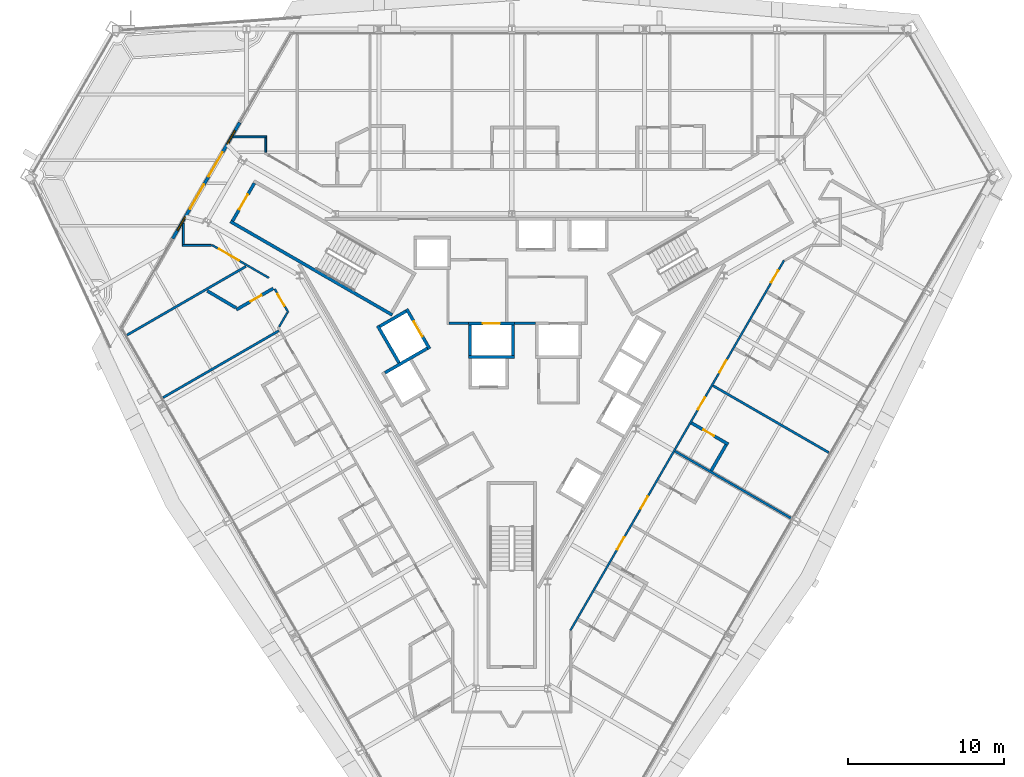
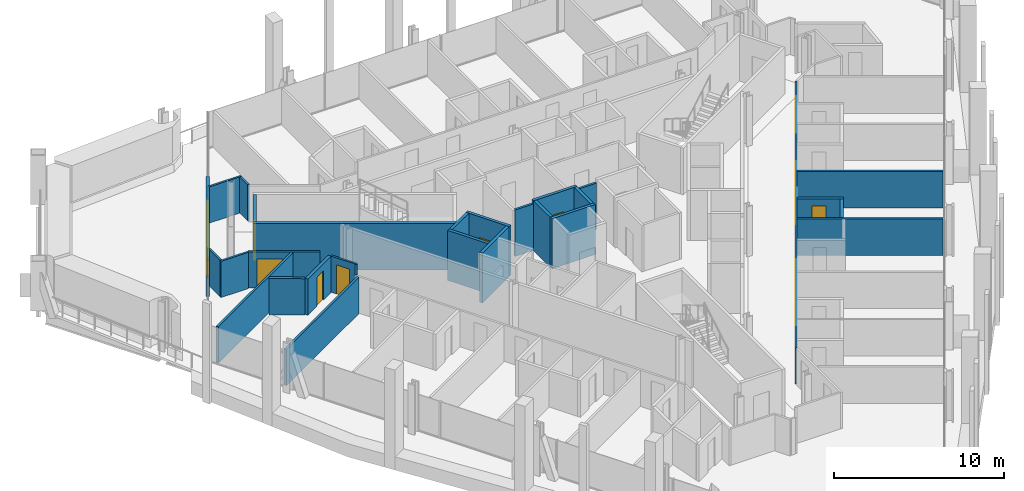
# One storey, part 13 of 19: 29 walls, 14 doors, 2 windows, 16 openings.
"""IFC4 building model written with IfcOpenShell, lengths in metres."""

import ifcopenshell
import ifcopenshell.guid

model = None  # the IFC model being written
_history = None  # IfcOwnerHistory: only IFC2X3 demands one
_inside = {}  # id of a spatial element -> (the spatial element, [elements in it])
_under = {}  # id of a project, library or spatial element -> (it, [spatial elements below it])
_declared = {}  # id of a project -> (the project, [libraries it declares])
_typed = {}  # id of a type object -> (the type object, [elements of that type])
_made_of = {}  # id of a material, layer set ... -> (it, [elements and type objects made of it])


def new_model(schema):
    """Start an empty IFC model of exactly this schema.

    Asked for "IFC4X3", IfcOpenShell would pick the latest addendum, in which some entities
    have other attributes; the version numbers below select the first issue.
    IFC2X3 requires an IfcOwnerHistory on every rooted entity: one is made here for all.
    """
    global model, _history
    if schema == "IFC4X3":
        model = ifcopenshell.file(schema_version=(4, 3, 0, 0))
    else:
        model = ifcopenshell.file(schema=schema)
    _inside.clear()
    _under.clear()
    _declared.clear()
    _typed.clear()
    _made_of.clear()
    _history = None
    if model.schema == "IFC2X3":
        org = make("IfcOrganization", Name="unknown")
        user = make(
            "IfcPersonAndOrganization",
            ThePerson=make("IfcPerson", FamilyName="unknown"),
            TheOrganization=org,
        )
        app = make(
            "IfcApplication",
            ApplicationDeveloper=org,
            Version="unknown",
            ApplicationFullName="unknown",
            ApplicationIdentifier="unknown",
        )
        _history = make(
            "IfcOwnerHistory",
            OwningUser=user,
            OwningApplication=app,
            ChangeAction="ADDED",
            CreationDate=0,
        )
    return model


def make(cls, **values):
    """One entity of the class cls with the attributes given. An attribute that is None is left unset."""
    return model.create_entity(
        cls, **{name: value for name, value in values.items() if value is not None}
    )


def rooted(cls, **values):
    """An entity with a GlobalId (a new one), such as an element, a storey or a relation."""
    return make(cls, GlobalId=ifcopenshell.guid.new(), OwnerHistory=_history, **values)


def si_unit(unit_type, name, prefix=None):
    """IfcSIUnit, for example si_unit("LENGTHUNIT", "METRE", prefix="MILLI")."""
    return make("IfcSIUnit", UnitType=unit_type, Prefix=prefix, Name=name)


def assignment(units):
    """IfcUnitAssignment: the units of a project."""
    return None if units is None else make("IfcUnitAssignment", Units=units)


def point(xyz):
    """IfcCartesianPoint."""
    return None if xyz is None else make("IfcCartesianPoint", Coordinates=xyz)


def direction(xyz):
    """IfcDirection."""
    return None if xyz is None else make("IfcDirection", DirectionRatios=xyz)


def frame(location, z_axis=None, x_axis=None):
    """IfcAxis2Placement3D, a coordinate frame: its origin and axes. An axis left out is left unset."""
    return make(
        "IfcAxis2Placement3D",
        Location=point(location),
        Axis=direction(z_axis),
        RefDirection=direction(x_axis),
    )


def frame_2d(location, x_axis=None):
    """IfcAxis2Placement2D, a coordinate frame in the plane: its origin and x axis."""
    return make(
        "IfcAxis2Placement2D", Location=point(location), RefDirection=direction(x_axis)
    )


def origin():
    """The frame at (0, 0, 0) with its axes left unset."""
    return frame((0.0, 0.0, 0.0))


def place(relative_to, where):
    """IfcLocalPlacement: puts the frame where relative to a parent placement (None: the world)."""
    return make(
        "IfcLocalPlacement", PlacementRelTo=relative_to, RelativePlacement=where
    )


def context(
    kind, dimensions, precision=None, world=None, true_north=None, identifier=None
):
    """IfcGeometricRepresentationContext, for example the 3D "Model" context."""
    return make(
        "IfcGeometricRepresentationContext",
        ContextIdentifier=identifier,
        ContextType=kind,
        CoordinateSpaceDimension=dimensions,
        Precision=precision,
        WorldCoordinateSystem=world,
        TrueNorth=true_north,
    )


def subcontext(parent, identifier, kind, view, scale=None):
    """IfcGeometricRepresentationSubContext, for example "Body" below "Model"."""
    return make(
        "IfcGeometricRepresentationSubContext",
        ContextIdentifier=identifier,
        ContextType=kind,
        ParentContext=parent,
        TargetScale=scale,
        TargetView=view,
    )


def project(units=None, contexts=None):
    """IfcProject with its units and contexts."""
    return rooted(
        "IfcProject",
        Name="project",
        RepresentationContexts=contexts,
        UnitsInContext=assignment(units),
    )


def spatial(cls, under=None, at=None, **own):
    """A site, building, storey or space (cls), placed at a placement, below another one or the project."""
    s = rooted(cls, ObjectPlacement=at, **own)
    if under is not None:
        _under.setdefault(under.id(), (under, []))[1].append(s)
    return s


def profile(cls, at=None, kind="AREA", **sizes):
    """A parametric profile (cls). Its sizes go by their IFC names, for example OverallWidth=200.0."""
    return make(cls, ProfileType=kind, Position=at, **sizes)


def rectangle(**sizes):
    """IfcRectangleProfileDef."""
    return profile("IfcRectangleProfileDef", **sizes)


def extrude(swept, where, along, depth):
    """IfcExtrudedAreaSolid: the profile swept, set in the frame where, extruded along a direction by depth."""
    return make(
        "IfcExtrudedAreaSolid",
        SweptArea=swept,
        Position=where,
        ExtrudedDirection=direction(along),
        Depth=depth,
    )


def shape(context_of_items, identifier, shape_type, items):
    """IfcShapeRepresentation: the items that make up one representation, for example the "Body"."""
    return make(
        "IfcShapeRepresentation",
        ContextOfItems=context_of_items,
        RepresentationIdentifier=identifier,
        RepresentationType=shape_type,
        Items=items,
    )


def material(Name=None, Category=None):
    """IfcMaterial."""
    return make("IfcMaterial", Name=Name, Category=Category)


def layer(
    of_material, thickness, ventilated=None, Name=None, Category=None, Priority=None
):
    """IfcMaterialLayer: one layer of a wall or slab, of a material (None: an air gap)."""
    return make(
        "IfcMaterialLayer",
        Material=of_material,
        LayerThickness=thickness,
        IsVentilated=ventilated,
        Name=Name,
        Category=Category,
        Priority=Priority,
    )


def layer_set(layers, Name=None):
    """IfcMaterialLayerSet."""
    return make("IfcMaterialLayerSet", MaterialLayers=layers, LayerSetName=Name)


def made_of(thing, what):
    """Note that an element or type object is made of a material, layer set ...; save() writes the relation."""
    if what is not None:
        _made_of.setdefault(what.id(), (what, []))[1].append(thing)
    return thing


def type_object(cls, material=None, **own):
    """A type object (cls), such as IfcWallType, which elements share."""
    return made_of(rooted(cls, **own), material)


def element(
    cls,
    number,
    at=None,
    inside=None,
    cuts=None,
    type_object=None,
    material=None,
    context=None,
    identifier="Body",
    shape_type=None,
    held_by="IfcProductDefinitionShape",
    body=None,
    shapes=None,
    **own,
):
    """One element of the class cls, such as IfcWall. Its Tag is "e" and its number.

    at: its placement. inside: the storey or other place that contains it. cuts: it is an
    opening in that element (IfcRelVoidsElement). A single representation is given by context,
    identifier, shape_type and body (its items); several are given by shapes. held_by: the class
    of the entity that holds the representations. save() writes the other relations.
    """
    e = rooted(cls, Tag="e%d" % number, ObjectPlacement=at, **own)
    if body is not None:
        shapes = [shape(context, identifier, shape_type, body)]
    if shapes is not None:
        e.Representation = make(held_by, Representations=shapes)
    if inside is not None:
        _inside.setdefault(inside.id(), (inside, []))[1].append(e)
    if cuts is not None:
        rooted(
            "IfcRelVoidsElement", RelatingBuildingElement=cuts, RelatedOpeningElement=e
        )
    if type_object is not None:
        _typed.setdefault(type_object.id(), (type_object, []))[1].append(e)
    return made_of(e, material)


def fill(opening, filler):
    """IfcRelFillsElement: the door or window that sits in an opening."""
    return rooted(
        "IfcRelFillsElement",
        RelatingOpeningElement=opening,
        RelatedBuildingElement=filler,
    )


def aggregate(whole, parts):
    """IfcRelAggregates: a whole, such as a stair, and the parts it consists of."""
    return rooted("IfcRelAggregates", RelatingObject=whole, RelatedObjects=parts)


def save(model, path):
    """Write the relations noted so far, then the file.

    IfcRelAggregates (storeys below a building ...), IfcRelContainedInSpatialStructure (elements
    in a storey), IfcRelDefinesByType, IfcRelAssociatesMaterial and IfcRelDeclares: one each for
    every whole, place, type object, material and project.
    """
    for whole, parts in _under.values():
        aggregate(whole, parts)
    for where, things in _inside.values():
        rooted(
            "IfcRelContainedInSpatialStructure",
            RelatedElements=things,
            RelatingStructure=where,
        )
    for kind, things in _typed.values():
        rooted("IfcRelDefinesByType", RelatedObjects=things, RelatingType=kind)
    for what, things in _made_of.values():
        rooted("IfcRelAssociatesMaterial", RelatedObjects=things, RelatingMaterial=what)
    for by, libraries in _declared.values():
        rooted("IfcRelDeclares", RelatingContext=by, RelatedDefinitions=libraries)
    model.write(path)


model = new_model("IFC4")

# Units and contexts
model_context = context("Model", 3, precision=1e-05, world=origin(), true_north=direction((0.0, 1.0)))
body_context = subcontext(model_context, "Body", "Model", "MODEL_VIEW")
ifc_project = project(units=[si_unit("LENGTHUNIT", "METRE"), si_unit("AREAUNIT", "SQUARE_METRE"), si_unit("VOLUMEUNIT", "CUBIC_METRE"), si_unit("PLANEANGLEUNIT", "RADIAN"), si_unit("MASSUNIT", "GRAM", prefix="KILO")], contexts=[model_context])

# Site, building, storey
site_placement = place(None, origin())
site = spatial("IfcSite", under=ifc_project, at=site_placement, CompositionType="ELEMENT")
building_placement = place(site_placement, origin())
building = spatial("IfcBuilding", under=site, at=building_placement, Name="Verrane Prism Tower", CompositionType="ELEMENT")
storey_placement = place(building_placement, frame((0.0, 0.0, 58.39990234375)))
storey = spatial("IfcBuildingStorey", under=building, at=storey_placement, Name="L12", CompositionType="ELEMENT", Elevation=58.39990234375)

# Wall, opening, door
ifc_material_1 = material(Name="Concrete C40/50", Category="concrete")
ifc_layer_1 = layer(ifc_material_1, 0.199951171875)
ifc_layer_set_1 = layer_set([ifc_layer_1], Name="CW-200 stair core wall concrete C40/50 3 h")
wall_type_1 = type_object("IfcWallType", Name="CW-200 stair core wall concrete C40/50 3 h", PredefinedType="PARTITIONING", material=ifc_layer_set_1)
wall_1_placement = place(storey_placement, frame((-16.533935546875, 11.162353515625, 0.0), z_axis=(0.0, 0.0, 1.0), x_axis=(-0.49998411664, -0.866034573852, 0.0)))
wall_1 = element("IfcWall", 1, at=wall_1_placement, inside=storey, type_object=wall_type_1, Name="Stair 2 enclosure wall", PredefinedType="PARTITIONING", context=body_context, shape_type="SweptSolid", body=[
    extrude(rectangle(XDim=2.7998046875, YDim=0.199951171875, at=frame_2d((1.39990234375, 0.0))), origin(), (0.0, 0.0, 1.0), 3.35009765625),
])
opening_1_placement = place(wall_1_placement, frame((0.849853515625, 0.0, 0.0)))
opening_1 = element("IfcOpeningElement", 2, at=opening_1_placement, cuts=wall_1, Name="Opening D12501", PredefinedType="OPENING", context=body_context, shape_type="SweptSolid", body=[
    extrude(rectangle(XDim=1.10009765625, YDim=2.10009765625, at=frame_2d((0.550048828125, 1.050048828125))), frame((0.0, 0.10986328125, 0.0), z_axis=(0.0, -1.0, 0.0), x_axis=(1.0, 0.0, 0.0)), (0.0, 0.0, 1.0), 0.219970703125),
])
ifc_material_2 = material(Name="Timber veneered door leaf", Category="wood")
door_type_1 = type_object("IfcDoorType", Name="DR-1100x2100 FD90 single leaf stair", OperationType="NOTDEFINED", PredefinedType="DOOR", material=ifc_material_2)
door_1_placement = place(opening_1_placement, origin())
door_1 = element("IfcDoor", 3, at=door_1_placement, inside=storey, type_object=door_type_1, Name="Stair 2 door", OperationType="SINGLE_SWING_RIGHT", OverallHeight=2.10009765625, OverallWidth=1.10009765625, PredefinedType="DOOR", context=body_context, shape_type="SweptSolid", body=[
    extrude(rectangle(XDim=1.10009765625, YDim=2.10009765625, at=frame_2d((0.550048828125, 1.050048828125))), frame((0.0, 0.02490234375, 0.0), z_axis=(0.0, -1.0, 0.0), x_axis=(1.0, 0.0, 0.0)), (0.0, 0.0, 1.0), 0.050048828125),
])
fill(opening_1, door_1)

# Wall
wall_2_placement = place(storey_placement, frame((-7.67822265625, 2.700927734375, 0.0), z_axis=(0.0, 0.0, 1.0), x_axis=(-0.866026010844, 0.49999894854, 0.0)))
element("IfcWall", 4, at=wall_2_placement, inside=storey, type_object=wall_type_1, Name="Stair 2 enclosure wall", PredefinedType="PARTITIONING", context=body_context, shape_type="SweptSolid", body=[
    extrude(rectangle(XDim=12.0, YDim=0.199951171875, at=frame_2d((6.0, 0.0))), origin(), (0.0, 0.0, 1.0), 3.35009765625),
])

# Wall, openings, doors, windows
ifc_material_3 = material(Name="Aluminium framed insulated glazing", Category="aluminium")
ifc_layer_2 = layer(ifc_material_3, 0.199951171875)
ifc_layer_set_2 = layer_set([ifc_layer_2], Name="Garden screen wall 200")
wall_type_2 = type_object("IfcWallType", Name="Garden screen wall 200", PredefinedType="SOLIDWALL", material=ifc_layer_set_2)
wall_3_placement = place(storey_placement, frame((-17.474609375, 15.05419921875, 0.0), z_axis=(0.0, 0.0, 1.0), x_axis=(-0.499973925258, -0.86604045752, 0.0)))
wall_3 = element("IfcWall", 5, at=wall_3_placement, inside=storey, type_object=wall_type_2, Name="Garden screen wall L12", PredefinedType="SOLIDWALL", context=body_context, shape_type="SweptSolid", body=[
    extrude(rectangle(XDim=8.60009765625, YDim=0.199951171875, at=frame_2d((4.300048828125, 0.0))), origin(), (0.0, 0.0, 1.0), 2.613037109375),
])
opening_2_placement = place(wall_3_placement, frame((0.60009765625, 0.0, 0.89990234375)))
opening_2 = element("IfcOpeningElement", 6, at=opening_2_placement, cuts=wall_3, Name="Opening W12701", PredefinedType="OPENING", context=body_context, shape_type="SweptSolid", body=[
    extrude(rectangle(XDim=1.0, YDim=1.5, at=frame_2d((0.5, 0.75))), frame((0.0, 0.10986328125, 0.0), z_axis=(0.0, -1.0, 0.0), x_axis=(1.0, 0.0, 0.0)), (0.0, 0.0, 1.0), 0.219970703125),
])
opening_3_placement = place(wall_3_placement, frame((2.199951171875, 0.0, 0.0)))
opening_3 = element("IfcOpeningElement", 7, at=opening_3_placement, cuts=wall_3, Name="Opening D12701", PredefinedType="OPENING", context=body_context, shape_type="SweptSolid", body=[
    extrude(rectangle(XDim=1.800048828125, YDim=2.39990234375, at=frame_2d((0.89990234375, 1.199951171875))), frame((0.0, 0.10986328125, 0.0), z_axis=(0.0, -1.0, 0.0), x_axis=(1.0, 0.0, 0.0)), (0.0, 0.0, 1.0), 0.219970703125),
])
opening_4_placement = place(wall_3_placement, frame((4.60009765625, 0.0, 0.0)))
opening_4 = element("IfcOpeningElement", 8, at=opening_4_placement, cuts=wall_3, Name="Opening D12702", PredefinedType="OPENING", context=body_context, shape_type="SweptSolid", body=[
    extrude(rectangle(XDim=1.800048828125, YDim=2.39990234375, at=frame_2d((0.89990234375, 1.199951171875))), frame((0.0, 0.10986328125, 0.0), z_axis=(0.0, -1.0, 0.0), x_axis=(1.0, 0.0, 0.0)), (0.0, 0.0, 1.0), 0.219970703125),
])
opening_5_placement = place(wall_3_placement, frame((7.0, 0.0, 0.89990234375)))
opening_5 = element("IfcOpeningElement", 9, at=opening_5_placement, cuts=wall_3, Name="Opening W12702", PredefinedType="OPENING", context=body_context, shape_type="SweptSolid", body=[
    extrude(rectangle(XDim=1.0, YDim=1.5, at=frame_2d((0.5, 0.75))), frame((0.0, 0.10986328125, 0.0), z_axis=(0.0, -1.0, 0.0), x_axis=(1.0, 0.0, 0.0)), (0.0, 0.0, 1.0), 0.219970703125),
])
ifc_material_4 = material(Name="Aluminium framed glazing", Category="aluminium")
door_type_2 = type_object("IfcDoorType", Name="DR-1800x2400 double glazed garden door", OperationType="DOUBLE_DOOR_SINGLE_SWING", PredefinedType="DOOR", material=ifc_material_4)
door_2_placement = place(opening_3_placement, frame((1.800048828125, 0.0, 0.0), z_axis=(0.0, 0.0, 1.0), x_axis=(-1.0, 0.0, 0.0)))
door_2 = element("IfcDoor", 10, at=door_2_placement, inside=storey, type_object=door_type_2, Name="Garden door D12701", OperationType="DOUBLE_DOOR_SINGLE_SWING", OverallHeight=2.39990234375, OverallWidth=1.800048828125, PredefinedType="DOOR", context=body_context, shape_type="SweptSolid", body=[
    extrude(rectangle(XDim=1.800048828125, YDim=2.39990234375, at=frame_2d((0.89990234375, 1.199951171875))), frame((0.0, 0.02490234375, 0.0), z_axis=(0.0, -1.0, 0.0), x_axis=(1.0, 0.0, 0.0)), (0.0, 0.0, 1.0), 0.050048828125),
])
fill(opening_3, door_2)
door_3_placement = place(opening_4_placement, frame((1.800048828125, 0.0, 0.0), z_axis=(0.0, 0.0, 1.0), x_axis=(-1.0, 0.0, 0.0)))
door_3 = element("IfcDoor", 11, at=door_3_placement, inside=storey, type_object=door_type_2, Name="Garden door D12702", OperationType="DOUBLE_DOOR_SINGLE_SWING", OverallHeight=2.39990234375, OverallWidth=1.800048828125, PredefinedType="DOOR", context=body_context, shape_type="SweptSolid", body=[
    extrude(rectangle(XDim=1.800048828125, YDim=2.39990234375, at=frame_2d((0.89990234375, 1.199951171875))), frame((0.0, 0.02490234375, 0.0), z_axis=(0.0, -1.0, 0.0), x_axis=(1.0, 0.0, 0.0)), (0.0, 0.0, 1.0), 0.050048828125),
])
fill(opening_4, door_3)
ifc_material_5 = material(Name="Aluminium framed glazing", Category="aluminium")
window_type = type_object("IfcWindowType", Name="Vent window 1000x1500 top hung", PartitioningType="SINGLE_PANEL", PredefinedType="WINDOW", material=ifc_material_5)
window_1_placement = place(opening_2_placement, origin())
window_1 = element("IfcWindow", 12, at=window_1_placement, inside=storey, type_object=window_type, Name="Vent window W12701", OverallHeight=1.5, OverallWidth=1.0, PartitioningType="SINGLE_PANEL", PredefinedType="WINDOW", context=body_context, shape_type="SweptSolid", body=[
    extrude(rectangle(XDim=1.0, YDim=1.5, at=frame_2d((0.5, 0.75))), frame((0.0, 0.030029296875, 0.0), z_axis=(0.0, -1.0, 0.0), x_axis=(1.0, 0.0, 0.0)), (0.0, 0.0, 1.0), 0.06005859375),
])
fill(opening_2, window_1)
window_2_placement = place(opening_5_placement, origin())
window_2 = element("IfcWindow", 13, at=window_2_placement, inside=storey, type_object=window_type, Name="Vent window W12702", OverallHeight=1.5, OverallWidth=1.0, PartitioningType="SINGLE_PANEL", PredefinedType="WINDOW", context=body_context, shape_type="SweptSolid", body=[
    extrude(rectangle(XDim=1.0, YDim=1.5, at=frame_2d((0.5, 0.75))), frame((0.0, 0.030029296875, 0.0), z_axis=(0.0, -1.0, 0.0), x_axis=(1.0, 0.0, 0.0)), (0.0, 0.0, 1.0), 0.06005859375),
])
fill(opening_5, window_2)

# Wall
ifc_material_6 = material(Name="Gypsum board shaft wall assembly", Category="other")
ifc_layer_3 = layer(ifc_material_6, 0.199951171875)
ifc_layer_set_3 = layer_set([ifc_layer_3], Name="HW-200 lift shaft wall 2 h")
wall_type_3 = type_object("IfcWallType", Name="HW-200 lift shaft wall 2 h", PredefinedType="PARTITIONING", material=ifc_layer_set_3)
wall_4_placement = place(storey_placement, frame((-2.784912109375, 0.0, 0.0), z_axis=(0.0, 0.0, 1.0), x_axis=(1.0, 0.0, 0.0)))
element("IfcWall", 14, at=wall_4_placement, inside=storey, type_object=wall_type_3, Name="Lift shaft wall", PredefinedType="PARTITIONING", context=body_context, shape_type="SweptSolid", body=[
    extrude(rectangle(XDim=2.949951171875, YDim=0.199951171875, at=frame_2d((1.47509765625, 0.0))), origin(), (0.0, 0.0, 1.0), 3.60009765625),
])

# Wall, opening, door
wall_5_placement = place(storey_placement, frame((-2.784912109375, 2.14990234375, 0.0), z_axis=(0.0, 0.0, 1.0), x_axis=(1.0, 0.0, 0.0)))
wall_5 = element("IfcWall", 15, at=wall_5_placement, inside=storey, type_object=wall_type_3, Name="Lift shaft wall", PredefinedType="PARTITIONING", context=body_context, shape_type="SweptSolid", body=[
    extrude(rectangle(XDim=2.949951171875, YDim=0.199951171875, at=frame_2d((1.47509765625, 0.0))), origin(), (0.0, 0.0, 1.0), 3.60009765625),
])
opening_6_placement = place(wall_5_placement, frame((0.925048828125, 0.0, 0.0)))
opening_6 = element("IfcOpeningElement", 16, at=opening_6_placement, cuts=wall_5, Name="Opening D12508", PredefinedType="OPENING", context=body_context, shape_type="SweptSolid", body=[
    extrude(rectangle(XDim=1.10009765625, YDim=2.10009765625, at=frame_2d((0.550048828125, 1.050048828125))), frame((0.0, 0.10986328125, 0.0), z_axis=(0.0, -1.0, 0.0), x_axis=(1.0, 0.0, 0.0)), (0.0, 0.0, 1.0), 0.219970703125),
])
ifc_material_7 = material(Name="Stainless steel sliding landing door", Category="steel")
door_type_3 = type_object("IfcDoorType", Name="LD-1100x2100 lift landing door FD90 sliding", OperationType="NOTDEFINED", PredefinedType="DOOR", material=ifc_material_7)
door_4_placement = place(opening_6_placement, origin())
door_4 = element("IfcDoor", 17, at=door_4_placement, inside=storey, type_object=door_type_3, Name="Fire service lift 1 landing door", OperationType="SLIDING_TO_LEFT", OverallHeight=2.10009765625, OverallWidth=1.10009765625, PredefinedType="DOOR", context=body_context, shape_type="SweptSolid", body=[
    extrude(rectangle(XDim=1.10009765625, YDim=2.10009765625, at=frame_2d((0.550048828125, 1.050048828125))), frame((0.0, 0.02490234375, 0.0), z_axis=(0.0, -1.0, 0.0), x_axis=(1.0, 0.0, 0.0)), (0.0, 0.0, 1.0), 0.050048828125),
])
fill(opening_6, door_4)

# Walls
wall_6_placement = place(storey_placement, frame((-8.14453125, -1.012939453125, 0.0), z_axis=(0.0, 0.0, 1.0), x_axis=(0.866016494683, 0.500015430699, 0.0)))
element("IfcWall", 18, at=wall_6_placement, inside=storey, type_object=wall_type_3, Name="Lift shaft wall", PredefinedType="PARTITIONING", context=body_context, shape_type="SweptSolid", body=[
    extrude(rectangle(XDim=3.14990234375, YDim=0.199951171875, at=frame_2d((1.574951171875, 0.0))), origin(), (0.0, 0.0, 1.0), 3.60009765625),
])
for number, where, z_axis, x_axis, name in (
    (19, (-8.48046875, 1.968505859375, 0.0), (0.0, 0.0, 1.0), (0.866000020948, 0.500043961785, 0.0), "Lift shaft wall"),
    (20, (0.06494140625, 0.10009765625, 0.0), (0.0, 0.0, 1.0), (0.0, 1.0, 0.0), "Lift shaft wall"),
    (21, (-2.68505859375, 0.10009765625, 0.0), (0.0, 0.0, 1.0), (0.0, 1.0, 0.0), "Lift shaft wall"),
):
    element("IfcWall", number, at=place(storey_placement, frame(where, z_axis=z_axis, x_axis=x_axis)), inside=storey, type_object=wall_type_3, Name=name, PredefinedType="PARTITIONING", context=body_context, shape_type="SweptSolid", body=[
        extrude(rectangle(XDim=1.949951171875, YDim=0.199951171875, at=frame_2d((0.97509765625, 0.0))), origin(), (0.0, 0.0, 1.0), 3.60009765625),
    ])

# Wall, opening, door
wall_7_placement = place(storey_placement, frame((-5.280029296875, 0.525390625, 0.0), z_axis=(0.0, 0.0, 1.0), x_axis=(-0.500037662692, 0.866003658127, 0.0)))
wall_7 = element("IfcWall", 22, at=wall_7_placement, inside=storey, type_object=wall_type_3, Name="Lift shaft wall", PredefinedType="PARTITIONING", context=body_context, shape_type="SweptSolid", body=[
    extrude(rectangle(XDim=2.949951171875, YDim=0.199951171875, at=frame_2d((1.47509765625, 0.0))), origin(), (0.0, 0.0, 1.0), 3.60009765625),
])
opening_7_placement = place(wall_7_placement, frame((0.925048828125, 0.0, 0.0)))
opening_7 = element("IfcOpeningElement", 23, at=opening_7_placement, cuts=wall_7, Name="Opening D12510", PredefinedType="OPENING", context=body_context, shape_type="SweptSolid", body=[
    extrude(rectangle(XDim=1.10009765625, YDim=2.10009765625, at=frame_2d((0.550048828125, 1.050048828125))), frame((0.0, 0.10986328125, 0.0), z_axis=(0.0, -1.0, 0.0), x_axis=(1.0, 0.0, 0.0)), (0.0, 0.0, 1.0), 0.219970703125),
])
door_5_placement = place(opening_7_placement, origin())
door_5 = element("IfcDoor", 24, at=door_5_placement, inside=storey, type_object=door_type_3, Name="Service lift 1 landing door", OperationType="SLIDING_TO_LEFT", OverallHeight=2.10009765625, OverallWidth=1.10009765625, PredefinedType="DOOR", context=body_context, shape_type="SweptSolid", body=[
    extrude(rectangle(XDim=1.10009765625, YDim=2.10009765625, at=frame_2d((0.550048828125, 1.050048828125))), frame((0.0, 0.02490234375, 0.0), z_axis=(0.0, -1.0, 0.0), x_axis=(1.0, 0.0, 0.0)), (0.0, 0.0, 1.0), 0.050048828125),
])
fill(opening_7, door_5)

# Walls
wall_8_placement = place(storey_placement, frame((-7.241943359375, -0.37646484375, 0.0), z_axis=(0.0, 0.0, 1.0), x_axis=(-0.499996545922, 0.866027397988, 0.0)))
element("IfcWall", 25, at=wall_8_placement, inside=storey, type_object=wall_type_3, Name="Lift shaft wall", PredefinedType="PARTITIONING", context=body_context, shape_type="SweptSolid", body=[
    extrude(rectangle(XDim=2.75, YDim=0.199951171875, at=frame_2d((1.375, 0.0))), origin(), (0.0, 0.0, 1.0), 3.60009765625),
])
ifc_material_8 = material(Name="Gypsum board partition", Category="other")
ifc_layer_4 = layer(ifc_material_8, 0.14990234375)
ifc_layer_set_4 = layer_set([ifc_layer_4], Name="LF-150 firefighting lobby wall 1 h")
wall_type_4 = type_object("IfcWallType", Name="LF-150 firefighting lobby wall 1 h", PredefinedType="PARTITIONING", material=ifc_layer_set_4)
wall_9_placement = place(storey_placement, frame((-4.02490234375, 2.159912109375, 0.0), z_axis=(0.0, 0.0, 1.0), x_axis=(1.0, 0.0, 0.0)))
element("IfcWall", 26, at=wall_9_placement, inside=storey, type_object=wall_type_4, Name="Firefighting lobby wall LF1-002", PredefinedType="PARTITIONING", context=body_context, shape_type="SweptSolid", body=[
    extrude(rectangle(XDim=1.23779296875, YDim=0.14990234375, at=frame_2d((0.618896484375, 0.0))), origin(), (0.0, 0.0, 1.0), 3.35009765625),
])
wall_10_placement = place(storey_placement, frame((0.1669921875, 2.159912109375, 0.0), z_axis=(0.0, 0.0, 1.0), x_axis=(1.0, 0.0, 0.0)))
element("IfcWall", 27, at=wall_10_placement, inside=storey, type_object=wall_type_4, Name="Firefighting lobby wall LF1-006", PredefinedType="PARTITIONING", context=body_context, shape_type="SweptSolid", body=[
    extrude(rectangle(XDim=1.35595703125, YDim=0.14990234375, at=frame_2d((0.677978515625, 0.0))), origin(), (0.0, 0.0, 1.0), 3.35009765625),
])
ifc_material_9 = material(Name="Gypsum board partition", Category="other")
ifc_layer_5 = layer(ifc_material_9, 0.125)
ifc_layer_set_5 = layer_set([ifc_layer_5], Name="PW-125 corridor wall 1 h")
wall_type_5 = type_object("IfcWallType", Name="PW-125 corridor wall 1 h", PredefinedType="PARTITIONING", material=ifc_layer_set_5)
wall_11_placement = place(storey_placement, frame((-21.096923828125, 7.22802734375, 0.0), z_axis=(0.0, 0.0, 1.0), x_axis=(0.0, 1.0, 0.0)))
element("IfcWall", 28, at=wall_11_placement, inside=storey, type_object=wall_type_5, Name="Corridor wall 003", PredefinedType="PARTITIONING", context=body_context, shape_type="SweptSolid", body=[
    extrude(rectangle(XDim=1.350830078125, YDim=0.125, at=frame_2d((0.67529296875, 0.0))), origin(), (0.0, 0.0, 1.0), 2.613037109375),
])
wall_12_placement = place(storey_placement, frame((-21.159423828125, 7.1630859375, 0.0), z_axis=(0.0, 0.0, 1.0), x_axis=(1.0, 0.0, 0.0)))
element("IfcWall", 29, at=wall_12_placement, inside=storey, type_object=wall_type_5, Name="Corridor wall 004", PredefinedType="PARTITIONING", context=body_context, shape_type="SweptSolid", body=[
    extrude(rectangle(XDim=1.868408203125, YDim=0.125, at=frame_2d((0.93408203125, 0.0))), origin(), (0.0, 0.0, 1.0), 2.613037109375),
])

# Wall, opening, door
wall_13_placement = place(storey_placement, frame((-15.598876953125, 5.079833984375, 0.0), z_axis=(0.0, 0.0, 1.0), x_axis=(-0.865948995961, 0.500132318886, 0.0)))
wall_13 = element("IfcWall", 30, at=wall_13_placement, inside=storey, type_object=wall_type_5, Name="Corridor wall 007", PredefinedType="PARTITIONING", context=body_context, shape_type="SweptSolid", body=[
    extrude(rectangle(XDim=4.227783203125, YDim=0.125, at=frame_2d((2.11376953125, 0.0))), origin(), (0.0, 0.0, 1.0), 2.613037109375),
])
opening_8_placement = place(wall_13_placement, frame((2.215576171875, 0.0, 0.0)))
opening_8 = element("IfcOpeningElement", 31, at=opening_8_placement, cuts=wall_13, Name="Opening D12015", PredefinedType="OPENING", context=body_context, shape_type="SweptSolid", body=[
    extrude(rectangle(XDim=1.5, YDim=2.10009765625, at=frame_2d((0.75, 1.050048828125))), frame((0.0, 0.072509765625, 0.0), z_axis=(0.0, -1.0, 0.0), x_axis=(1.0, 0.0, 0.0)), (0.0, 0.0, 1.0), 0.14501953125),
])
ifc_material_10 = material(Name="Timber veneered door leaf", Category="wood")
door_type_4 = type_object("IfcDoorType", Name="DR-1500x2100 FD20 double leaf public", OperationType="NOTDEFINED", PredefinedType="DOOR", material=ifc_material_10)
door_6_placement = place(opening_8_placement, origin())
door_6 = element("IfcDoor", 32, at=door_6_placement, inside=storey, type_object=door_type_4, Name="Sky Garden Lounge door", OperationType="DOUBLE_DOOR_SINGLE_SWING", OverallHeight=2.10009765625, OverallWidth=1.5, PredefinedType="DOOR", context=body_context, shape_type="SweptSolid", body=[
    extrude(rectangle(XDim=1.5, YDim=2.10009765625, at=frame_2d((0.75, 1.050048828125))), frame((0.0, 0.02490234375, 0.0), z_axis=(0.0, -1.0, 0.0), x_axis=(1.0, 0.0, 0.0)), (0.0, 0.0, 1.0), 0.050048828125),
])
fill(opening_8, door_6)

# Walls
wall_14_placement = place(storey_placement, frame((-17.9140625, 14.136962890625, 0.0), z_axis=(0.0, 0.0, 1.0), x_axis=(1.0, 0.0, 0.0)))
element("IfcWall", 33, at=wall_14_placement, inside=storey, type_object=wall_type_5, Name="Corridor wall 008", PredefinedType="PARTITIONING", context=body_context, shape_type="SweptSolid", body=[
    extrude(rectangle(XDim=2.173583984375, YDim=0.125, at=frame_2d((1.0869140625, 0.0))), origin(), (0.0, 0.0, 1.0), 2.613037109375),
])
wall_15_placement = place(storey_placement, frame((-15.802978515625, 13.135009765625, 0.0), z_axis=(0.0, 0.0, 1.0), x_axis=(0.0, 1.0, 0.0)))
element("IfcWall", 34, at=wall_15_placement, inside=storey, type_object=wall_type_5, Name="Corridor wall 013", PredefinedType="PARTITIONING", context=body_context, shape_type="SweptSolid", body=[
    extrude(rectangle(XDim=0.93701171875, YDim=0.125, at=frame_2d((0.468505859375, 0.0))), origin(), (0.0, 0.0, 1.0), 2.613037109375),
])

# Wall, opening, door
wall_16_placement = place(storey_placement, frame((-14.350830078125, 2.85595703125, 0.0), z_axis=(0.0, 0.0, 1.0), x_axis=(-0.500075847163, 0.865981608976, 0.0)))
wall_16 = element("IfcWall", 35, at=wall_16_placement, inside=storey, type_object=wall_type_5, Name="Corridor wall 015", PredefinedType="PARTITIONING", context=body_context, shape_type="SweptSolid", body=[
    extrude(rectangle(XDim=1.754150390625, YDim=0.125, at=frame_2d((0.876953125, 0.0))), origin(), (0.0, 0.0, 1.0), 2.613037109375),
])
opening_9_placement = place(wall_16_placement, frame((0.47705078125, 0.0, 0.0)))
opening_9 = element("IfcOpeningElement", 36, at=opening_9_placement, cuts=wall_16, Name="Opening D12016", PredefinedType="OPENING", context=body_context, shape_type="SweptSolid", body=[
    extrude(rectangle(XDim=0.89990234375, YDim=2.10009765625, at=frame_2d((0.449951171875, 1.050048828125))), frame((0.0, 0.072509765625, 0.0), z_axis=(0.0, -1.0, 0.0), x_axis=(1.0, 0.0, 0.0)), (0.0, 0.0, 1.0), 0.14501953125),
])
ifc_material_11 = material(Name="Timber veneered door leaf", Category="wood")
door_type_5 = type_object("IfcDoorType", Name="DR-900x2100 FD20 single leaf unit", OperationType="NOTDEFINED", PredefinedType="DOOR", material=ifc_material_11)
door_7_placement = place(opening_9_placement, origin())
door_7 = element("IfcDoor", 37, at=door_7_placement, inside=storey, type_object=door_type_5, Name="Guest Room door", OperationType="SINGLE_SWING_LEFT", OverallHeight=2.10009765625, OverallWidth=0.89990234375, PredefinedType="DOOR", context=body_context, shape_type="SweptSolid", body=[
    extrude(rectangle(XDim=0.89990234375, YDim=2.10009765625, at=frame_2d((0.449951171875, 1.050048828125))), frame((0.0, 0.02490234375, 0.0), z_axis=(0.0, -1.0, 0.0), x_axis=(1.0, 0.0, 0.0)), (0.0, 0.0, 1.0), 0.050048828125),
])
fill(opening_9, door_7)

# Wall
wall_17_placement = place(storey_placement, frame((-14.9404296875, 1.943603515625, 0.0), z_axis=(0.0, 0.0, 1.0), x_axis=(0.500289431813, 0.86585823575, 0.0)))
element("IfcWall", 38, at=wall_17_placement, inside=storey, type_object=wall_type_5, Name="Corridor wall 018", PredefinedType="PARTITIONING", context=body_context, shape_type="SweptSolid", body=[
    extrude(rectangle(XDim=1.03125, YDim=0.125, at=frame_2d((0.515625, 0.0))), origin(), (0.0, 0.0, 1.0), 2.613037109375),
])

# Wall, openings, doors
wall_18_placement = place(storey_placement, frame((17.486328125, 6.2060546875, 0.0), z_axis=(0.0, 0.0, 1.0), x_axis=(-0.499990458811, -0.866030912322, 0.0)))
wall_18 = element("IfcWall", 39, at=wall_18_placement, inside=storey, type_object=wall_type_5, Name="Corridor wall 054", PredefinedType="PARTITIONING", context=body_context, shape_type="SweptSolid", body=[
    extrude(rectangle(XDim=27.44140625, YDim=0.125, at=frame_2d((13.720703125, 0.0))), origin(), (0.0, 0.0, 1.0), 2.613037109375),
])
opening_10_placement = place(wall_18_placement, frame((20.529052734375, 0.0, 0.0)))
opening_10 = element("IfcOpeningElement", 40, at=opening_10_placement, cuts=wall_18, Name="Opening D12032", PredefinedType="OPENING", context=body_context, shape_type="SweptSolid", body=[
    extrude(rectangle(XDim=0.89990234375, YDim=2.10009765625, at=frame_2d((0.449951171875, 1.050048828125))), frame((0.0, 0.072509765625, 0.0), z_axis=(0.0, -1.0, 0.0), x_axis=(1.0, 0.0, 0.0)), (0.0, 0.0, 1.0), 0.14501953125),
])
opening_11_placement = place(wall_18_placement, frame((17.51611328125, 0.0, 0.0)))
opening_11 = element("IfcOpeningElement", 41, at=opening_11_placement, cuts=wall_18, Name="Opening D12034", PredefinedType="OPENING", context=body_context, shape_type="SweptSolid", body=[
    extrude(rectangle(XDim=0.89990234375, YDim=2.10009765625, at=frame_2d((0.449951171875, 1.050048828125))), frame((0.0, 0.072509765625, 0.0), z_axis=(0.0, -1.0, 0.0), x_axis=(1.0, 0.0, 0.0)), (0.0, 0.0, 1.0), 0.14501953125),
])
opening_12_placement = place(wall_18_placement, frame((10.16796875, 0.0, 0.0)))
opening_12 = element("IfcOpeningElement", 42, at=opening_12_placement, cuts=wall_18, Name="Opening D12036", PredefinedType="OPENING", context=body_context, shape_type="SweptSolid", body=[
    extrude(rectangle(XDim=0.89990234375, YDim=2.10009765625, at=frame_2d((0.449951171875, 1.050048828125))), frame((0.0, 0.072509765625, 0.0), z_axis=(0.0, -1.0, 0.0), x_axis=(1.0, 0.0, 0.0)), (0.0, 0.0, 1.0), 0.14501953125),
])
opening_13_placement = place(wall_18_placement, frame((7.403076171875, 0.0, 0.0)))
opening_13 = element("IfcOpeningElement", 43, at=opening_13_placement, cuts=wall_18, Name="Opening D12038", PredefinedType="OPENING", context=body_context, shape_type="SweptSolid", body=[
    extrude(rectangle(XDim=0.89990234375, YDim=2.10009765625, at=frame_2d((0.449951171875, 1.050048828125))), frame((0.0, 0.072509765625, 0.0), z_axis=(0.0, -1.0, 0.0), x_axis=(1.0, 0.0, 0.0)), (0.0, 0.0, 1.0), 0.14501953125),
])
opening_14_placement = place(wall_18_placement, frame((0.740966796875, 0.0, 0.0)))
opening_14 = element("IfcOpeningElement", 44, at=opening_14_placement, cuts=wall_18, Name="Opening D12040", PredefinedType="OPENING", context=body_context, shape_type="SweptSolid", body=[
    extrude(rectangle(XDim=0.89990234375, YDim=2.10009765625, at=frame_2d((0.449951171875, 1.050048828125))), frame((0.0, 0.072509765625, 0.0), z_axis=(0.0, -1.0, 0.0), x_axis=(1.0, 0.0, 0.0)), (0.0, 0.0, 1.0), 0.14501953125),
])
door_8_placement = place(opening_10_placement, origin())
door_8 = element("IfcDoor", 45, at=door_8_placement, inside=storey, type_object=door_type_5, Name="Guest Room door", OperationType="SINGLE_SWING_LEFT", OverallHeight=2.10009765625, OverallWidth=0.89990234375, PredefinedType="DOOR", context=body_context, shape_type="SweptSolid", body=[
    extrude(rectangle(XDim=0.89990234375, YDim=2.10009765625, at=frame_2d((0.449951171875, 1.050048828125))), frame((0.0, 0.02490234375, 0.0), z_axis=(0.0, -1.0, 0.0), x_axis=(1.0, 0.0, 0.0)), (0.0, 0.0, 1.0), 0.050048828125),
])
fill(opening_10, door_8)
door_9_placement = place(opening_11_placement, origin())
door_9 = element("IfcDoor", 46, at=door_9_placement, inside=storey, type_object=door_type_5, Name="Guest Room door", OperationType="SINGLE_SWING_LEFT", OverallHeight=2.10009765625, OverallWidth=0.89990234375, PredefinedType="DOOR", context=body_context, shape_type="SweptSolid", body=[
    extrude(rectangle(XDim=0.89990234375, YDim=2.10009765625, at=frame_2d((0.449951171875, 1.050048828125))), frame((0.0, 0.02490234375, 0.0), z_axis=(0.0, -1.0, 0.0), x_axis=(1.0, 0.0, 0.0)), (0.0, 0.0, 1.0), 0.050048828125),
])
fill(opening_11, door_9)
door_10_placement = place(opening_12_placement, origin())
door_10 = element("IfcDoor", 47, at=door_10_placement, inside=storey, type_object=door_type_5, Name="Guest Room door", OperationType="SINGLE_SWING_LEFT", OverallHeight=2.10009765625, OverallWidth=0.89990234375, PredefinedType="DOOR", context=body_context, shape_type="SweptSolid", body=[
    extrude(rectangle(XDim=0.89990234375, YDim=2.10009765625, at=frame_2d((0.449951171875, 1.050048828125))), frame((0.0, 0.02490234375, 0.0), z_axis=(0.0, -1.0, 0.0), x_axis=(1.0, 0.0, 0.0)), (0.0, 0.0, 1.0), 0.050048828125),
])
fill(opening_12, door_10)
door_11_placement = place(opening_13_placement, origin())
door_11 = element("IfcDoor", 48, at=door_11_placement, inside=storey, type_object=door_type_5, Name="Guest Room door", OperationType="SINGLE_SWING_LEFT", OverallHeight=2.10009765625, OverallWidth=0.89990234375, PredefinedType="DOOR", context=body_context, shape_type="SweptSolid", body=[
    extrude(rectangle(XDim=0.89990234375, YDim=2.10009765625, at=frame_2d((0.449951171875, 1.050048828125))), frame((0.0, 0.02490234375, 0.0), z_axis=(0.0, -1.0, 0.0), x_axis=(1.0, 0.0, 0.0)), (0.0, 0.0, 1.0), 0.050048828125),
])
fill(opening_13, door_11)
door_12_placement = place(opening_14_placement, origin())
door_12 = element("IfcDoor", 49, at=door_12_placement, inside=storey, type_object=door_type_5, Name="Guest Room door", OperationType="SINGLE_SWING_LEFT", OverallHeight=2.10009765625, OverallWidth=0.89990234375, PredefinedType="DOOR", context=body_context, shape_type="SweptSolid", body=[
    extrude(rectangle(XDim=0.89990234375, YDim=2.10009765625, at=frame_2d((0.449951171875, 1.050048828125))), frame((0.0, 0.02490234375, 0.0), z_axis=(0.0, -1.0, 0.0), x_axis=(1.0, 0.0, 0.0)), (0.0, 0.0, 1.0), 0.050048828125),
])
fill(opening_14, door_12)

# Walls
ifc_material_12 = material(Name="Gypsum board partition", Category="other")
ifc_layer_6 = layer(ifc_material_12, 0.14990234375)
ifc_layer_set_6 = layer_set([ifc_layer_6], Name="PW-150 demising wall 1 h")
wall_type_6 = type_object("IfcWallType", Name="PW-150 demising wall 1 h", PredefinedType="PARTITIONING", material=ifc_layer_set_6)
wall_19_placement = place(storey_placement, frame((-24.709716796875, 1.409912109375, 0.0), z_axis=(0.0, 0.0, 1.0), x_axis=(0.866020465219, 0.500008553748, 0.0)))
element("IfcWall", 50, at=wall_19_placement, inside=storey, type_object=wall_type_6, Name="Demising wall 001", PredefinedType="PARTITIONING", context=body_context, shape_type="SweptSolid", body=[
    extrude(rectangle(XDim=8.814697265625, YDim=0.14990234375, at=frame_2d((4.4072265625, 0.0))), origin(), (0.0, 0.0, 1.0), 2.613037109375),
])
wall_20_placement = place(storey_placement, frame((-22.391845703125, -2.60498046875, 0.0), z_axis=(0.0, 0.0, 1.0), x_axis=(0.866031705461, 0.499989085017, 0.0)))
element("IfcWall", 51, at=wall_20_placement, inside=storey, type_object=wall_type_6, Name="Demising wall 002", PredefinedType="PARTITIONING", context=body_context, shape_type="SweptSolid", body=[
    extrude(rectangle(XDim=8.586669921875, YDim=0.14990234375, at=frame_2d((4.29345703125, 0.0))), origin(), (0.0, 0.0, 1.0), 2.613037109375),
])
for number, where, z_axis, x_axis, name in (
    (52, (10.482177734375, -6.05126953125, 0.0), (0.0, 0.0, 1.0), (0.865978298045, -0.500081580659, 0.0), "Demising wall 067"),
    (53, (12.9140625, -1.83935546875, 0.0), (0.0, 0.0, 1.0), (0.866010015463, -0.500026652407, 0.0), "Demising wall 072"),
):
    element("IfcWall", number, at=place(storey_placement, frame(where, z_axis=z_axis, x_axis=x_axis)), inside=storey, type_object=wall_type_6, Name=name, PredefinedType="PARTITIONING", context=body_context, shape_type="SweptSolid", body=[
        extrude(rectangle(XDim=8.59130859375, YDim=0.14990234375, at=frame_2d((4.295654296875, 0.0))), origin(), (0.0, 0.0, 1.0), 2.613037109375),
    ])
ifc_material_13 = material(Name="Gypsum board partition", Category="other")
ifc_layer_7 = layer(ifc_material_13, 0.199951171875)
ifc_layer_set_7 = layer_set([ifc_layer_7], Name="PW-200 plumbing wall")
wall_type_7 = type_object("IfcWallType", Name="PW-200 plumbing wall", PredefinedType="PARTITIONING", material=ifc_layer_set_7)
wall_21_placement = place(storey_placement, frame((-19.553466796875, 4.243408203125, 0.0), z_axis=(0.0, 0.0, 1.0), x_axis=(0.860468125465, -0.509504273838, 0.0)))
element("IfcWall", 54, at=wall_21_placement, inside=storey, type_object=wall_type_7, Name="Plumbing wall 006", PredefinedType="PARTITIONING", context=body_context, shape_type="SweptSolid", body=[
    extrude(rectangle(XDim=2.1328125, YDim=0.199951171875, at=frame_2d((1.06640625, 0.0))), origin(), (0.0, 0.0, 1.0), 2.613037109375),
])

# Wall, opening, door
wall_22_placement = place(storey_placement, frame((-17.688720703125, 3.0380859375, 0.0), z_axis=(0.0, 0.0, 1.0), x_axis=(0.866028150195, 0.499995243048, 0.0)))
wall_22 = element("IfcWall", 55, at=wall_22_placement, inside=storey, type_object=wall_type_7, Name="Plumbing wall 009", PredefinedType="PARTITIONING", context=body_context, shape_type="SweptSolid", body=[
    extrude(rectangle(XDim=2.7373046875, YDim=0.199951171875, at=frame_2d((1.36865234375, 0.0))), origin(), (0.0, 0.0, 1.0), 2.613037109375),
])
opening_15_placement = place(wall_22_placement, frame((1.050048828125, 0.0, 0.0)))
opening_15 = element("IfcOpeningElement", 56, at=opening_15_placement, cuts=wall_22, Name="Opening D12017", PredefinedType="OPENING", context=body_context, shape_type="SweptSolid", body=[
    extrude(rectangle(XDim=0.800048828125, YDim=2.10009765625, at=frame_2d((0.39990234375, 1.050048828125))), frame((0.0, 0.10986328125, 0.0), z_axis=(0.0, -1.0, 0.0), x_axis=(1.0, 0.0, 0.0)), (0.0, 0.0, 1.0), 0.219970703125),
])
ifc_material_14 = material(Name="Timber veneered door leaf", Category="wood")
door_type_6 = type_object("IfcDoorType", Name="DR-800x2100 single leaf bath", OperationType="NOTDEFINED", PredefinedType="DOOR", material=ifc_material_14)
door_13_placement = place(opening_15_placement, origin())
door_13 = element("IfcDoor", 57, at=door_13_placement, inside=storey, type_object=door_type_6, Name="En-Suite door", OperationType="SINGLE_SWING_LEFT", OverallHeight=2.10009765625, OverallWidth=0.800048828125, PredefinedType="DOOR", context=body_context, shape_type="SweptSolid", body=[
    extrude(rectangle(XDim=0.800048828125, YDim=2.10009765625, at=frame_2d((0.39990234375, 1.050048828125))), frame((0.0, 0.02490234375, 0.0), z_axis=(0.0, -1.0, 0.0), x_axis=(1.0, 0.0, 0.0)), (0.0, 0.0, 1.0), 0.050048828125),
])
fill(opening_15, door_13)

wall_23_placement = place(storey_placement, frame((13.902587890625, -5.60205078125, 0.0), z_axis=(0.0, 0.0, 1.0), x_axis=(-0.86596722502, 0.50010075504, 0.0)))
wall_23 = element("IfcWall", 58, at=wall_23_placement, inside=storey, type_object=wall_type_7, Name="Plumbing wall 068", PredefinedType="PARTITIONING", context=body_context, shape_type="SweptSolid", body=[
    extrude(rectangle(XDim=2.7373046875, YDim=0.199951171875, at=frame_2d((1.36865234375, 0.0))), origin(), (0.0, 0.0, 1.0), 2.613037109375),
])
opening_16_placement = place(wall_23_placement, frame((1.0498046875, 0.0, 0.0)))
opening_16 = element("IfcOpeningElement", 59, at=opening_16_placement, cuts=wall_23, Name="Opening D12037", PredefinedType="OPENING", context=body_context, shape_type="SweptSolid", body=[
    extrude(rectangle(XDim=0.800048828125, YDim=2.10009765625, at=frame_2d((0.39990234375, 1.050048828125))), frame((0.0, 0.10986328125, 0.0), z_axis=(0.0, -1.0, 0.0), x_axis=(1.0, 0.0, 0.0)), (0.0, 0.0, 1.0), 0.219970703125),
])
door_14_placement = place(opening_16_placement, origin())
door_14 = element("IfcDoor", 60, at=door_14_placement, inside=storey, type_object=door_type_6, Name="En-Suite door", OperationType="SINGLE_SWING_RIGHT", OverallHeight=2.10009765625, OverallWidth=0.800048828125, PredefinedType="DOOR", context=body_context, shape_type="SweptSolid", body=[
    extrude(rectangle(XDim=0.800048828125, YDim=2.10009765625, at=frame_2d((0.39990234375, 1.050048828125))), frame((0.0, 0.02490234375, 0.0), z_axis=(0.0, -1.0, 0.0), x_axis=(1.0, 0.0, 0.0)), (0.0, 0.0, 1.0), 0.050048828125),
])
fill(opening_16, door_14)

# Wall
wall_24_placement = place(storey_placement, frame((12.803466796875, -7.304931640625, 0.0), z_axis=(0.0, 0.0, 1.0), x_axis=(0.500150762069, 0.865938343765, 0.0)))
element("IfcWall", 61, at=wall_24_placement, inside=storey, type_object=wall_type_7, Name="Plumbing wall 071", PredefinedType="PARTITIONING", context=body_context, shape_type="SweptSolid", body=[
    extrude(rectangle(XDim=1.92431640625, YDim=0.199951171875, at=frame_2d((0.962158203125, 0.0))), origin(), (0.0, 0.0, 1.0), 2.613037109375),
])

save(model, "model.ifc")
